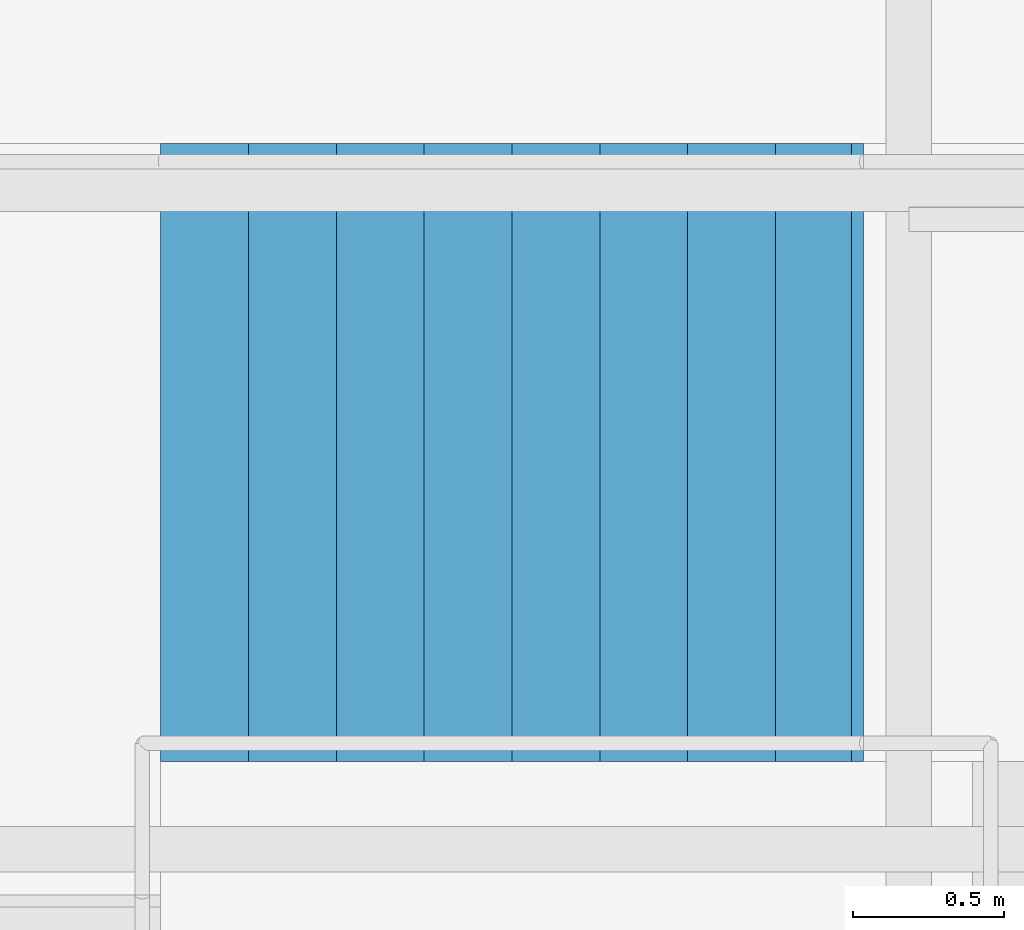
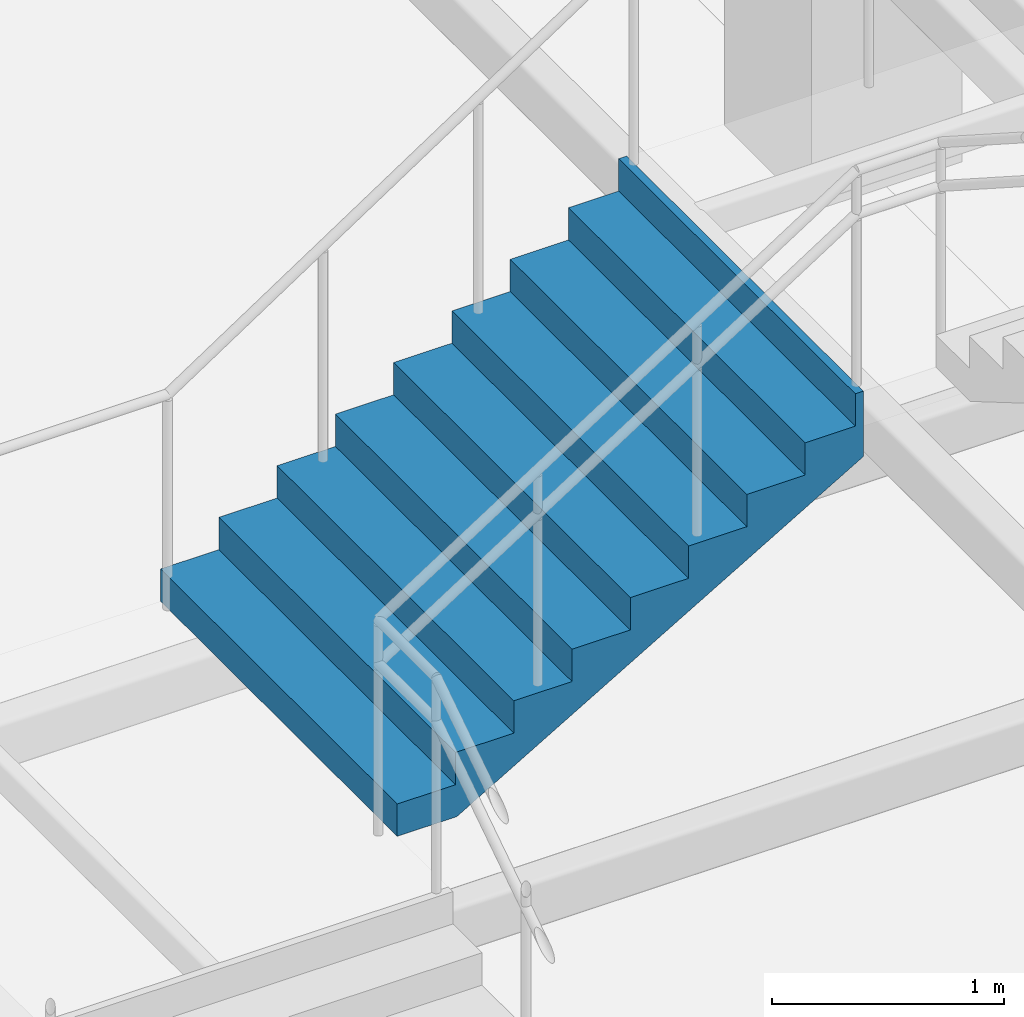
# One storey, part 48 of 58: 1 stair flight, 1 element without a shape of its own.
"""IFC4 building model written with IfcOpenShell, lengths in metres."""

from ifc_helpers import new_model, si_unit, direction, frame, origin, place, context, subcontext, project, spatial, triangles, material, type_object, element, aggregate, save


model = new_model("IFC4")

# Units and contexts
model_context = context("Model", 3, precision=1e-05, world=origin(), true_north=direction((0.0, 1.0)))
body_context = subcontext(model_context, "Body", "Model", "MODEL_VIEW")
ifc_project = project(units=[si_unit("LENGTHUNIT", "METRE"), si_unit("AREAUNIT", "SQUARE_METRE"), si_unit("VOLUMEUNIT", "CUBIC_METRE"), si_unit("PLANEANGLEUNIT", "RADIAN"), si_unit("MASSUNIT", "GRAM", prefix="KILO")], contexts=[model_context])

# Site, building, storey
site_placement = place(None, origin())
site = spatial("IfcSite", under=ifc_project, at=site_placement, CompositionType="ELEMENT")
building_placement = place(site_placement, origin())
building = spatial("IfcBuilding", under=site, at=building_placement, Name="Sillaruma Civic Art Gallery", CompositionType="ELEMENT")
storey_placement = place(building_placement, frame((0.0, 0.0, 28.56005859375)))
storey = spatial("IfcBuildingStorey", under=building, at=storey_placement, Name="L05", CompositionType="ELEMENT", Elevation=28.56005859375)

# Stair, stair flight
ifc_material = material(Name="Concrete H35 (35 MPa)", Category="concrete")
stair_type = type_object("IfcStairType", Name="STR-3F-27", PredefinedType="TWO_QUARTER_TURN_STAIR", material=ifc_material)
stair_placement = place(storey_placement, origin())
stair = element("IfcStair", 1, at=stair_placement, inside=storey, type_object=stair_type, Name="Monumental Gallery Feature Stair ST-G02 (L05)", PredefinedType="TWO_QUARTER_TURN_STAIR")
stair_flight_type = type_object("IfcStairFlightType", Name="SFL-STR-9", PredefinedType="STRAIGHT", material=ifc_material)
stair_flight_placement = place(storey_placement, frame((86.639892578125, 35.179931640625, 1.530029296875), z_axis=(0.0, 0.0, 1.0), x_axis=(1.0, 0.0, 0.0)))
stair_flight = element("IfcStairFlight", 2, at=stair_flight_placement, type_object=stair_flight_type, Name="ST-G02 flight 2", NumberOfRisers=9, NumberOfTreads=8, PredefinedType="STRAIGHT", RiserHeight=0.17, TreadLength=0.29, context=body_context, shape_type="Tessellation", body=[
    triangles([(0.0, -1.02001953125, 0.0), (0.29, -1.02001953125, 0.0), (0.296482, -1.02001953125, 0.0), (0.58, -1.02001953125, 0.1662), (0.87, -1.02001953125, 0.3362), (1.16, -1.02001953125, 0.5062), (1.45, -1.02001953125, 0.6762), (1.74, -1.02001953125, 0.8462), (2.03, -1.02001953125, 1.0162), (2.280068, -1.02001953125, 1.162792), (2.320068, -1.02001953125, 1.18624), (2.320068, -1.02001953125, 1.53), (2.280068, -1.02001953125, 1.53), (2.280068, -1.02001953125, 1.36), (2.03, -1.02001953125, 1.36), (2.03, -1.02001953125, 1.19), (1.74, -1.02001953125, 1.19), (1.74, -1.02001953125, 1.02), (1.45, -1.02001953125, 1.02), (1.45, -1.02001953125, 0.85), (1.16, -1.02001953125, 0.85), (1.16, -1.02001953125, 0.68), (0.87, -1.02001953125, 0.68), (0.87, -1.02001953125, 0.51), (0.58, -1.02001953125, 0.51), (0.58, -1.02001953125, 0.34), (0.296482, -1.02001953125, 0.34), (0.29, -1.02001953125, 0.34), (0.29, -1.02001953125, 0.17), (0.0, -1.02001953125, 0.17), (0.0, -0.05, 0.0), (0.29, -0.05, 0.0), (0.296482, -0.05, 0.0), (0.58, -0.05, 0.1662), (0.87, -0.05, 0.3362), (1.16, -0.05, 0.5062), (1.45, -0.05, 0.6762), (1.74, -0.05, 0.8462), (2.03, -0.05, 1.0162), (2.280068, -0.05, 1.162792), (2.320068, -0.05, 1.18624), (2.320068, -0.05, 1.53), (2.280068, -0.05, 1.53), (2.280068, -0.05, 1.36), (2.03, -0.05, 1.36), (2.03, -0.05, 1.19), (1.74, -0.05, 1.19), (1.74, -0.05, 1.02), (1.45, -0.05, 1.02), (1.45, -0.05, 0.85), (1.16, -0.05, 0.85), (1.16, -0.05, 0.68), (0.87, -0.05, 0.68), (0.87, -0.05, 0.51), (0.58, -0.05, 0.51), (0.58, -0.05, 0.34), (0.296482, -0.05, 0.34), (0.29, -0.05, 0.34), (0.29, -0.05, 0.17), (0.0, -0.05, 0.17), (0.0, -0.0375, 0.0), (0.29, -0.0375, 0.0), (0.296482, -0.0375, 0.0), (0.58, -0.0375, 0.1662), (0.87, -0.0375, 0.3362), (1.16, -0.0375, 0.5062), (1.45, -0.0375, 0.6762), (1.74, -0.0375, 0.8462), (2.03, -0.0375, 1.0162), (2.280068, -0.0375, 1.162792), (2.320068, -0.0375, 1.18624), (2.320068, -0.0375, 1.53), (2.280068, -0.0375, 1.53), (2.280068, -0.0375, 1.36), (2.03, -0.0375, 1.36), (2.03, -0.0375, 1.19), (1.74, -0.0375, 1.19), (1.74, -0.0375, 1.02), (1.45, -0.0375, 1.02), (1.45, -0.0375, 0.85), (1.16, -0.0375, 0.85), (1.16, -0.0375, 0.68), (0.87, -0.0375, 0.68), (0.87, -0.0375, 0.51), (0.58, -0.0375, 0.51), (0.58, -0.0375, 0.34), (0.296482, -0.0375, 0.34), (0.29, -0.0375, 0.34), (0.29, -0.0375, 0.17), (0.0, -0.0375, 0.17), (0.0, -0.025, 0.0), (0.29, -0.025, 0.0), (0.296482, -0.025, 0.0), (0.58, -0.025, 0.1662), (0.87, -0.025, 0.3362), (1.16, -0.025, 0.5062), (1.45, -0.025, 0.6762), (1.74, -0.025, 0.8462), (2.03, -0.025, 1.0162), (2.280068, -0.025, 1.162792), (2.320068, -0.025, 1.18624), (2.320068, -0.025, 1.53), (2.280068, -0.025, 1.53), (2.280068, -0.025, 1.36), (2.03, -0.025, 1.36), (2.03, -0.025, 1.19), (1.74, -0.025, 1.19), (1.74, -0.025, 1.02), (1.45, -0.025, 1.02), (1.45, -0.025, 0.85), (1.16, -0.025, 0.85), (1.16, -0.025, 0.68), (0.87, -0.025, 0.68), (0.87, -0.025, 0.51), (0.58, -0.025, 0.51), (0.58, -0.025, 0.34), (0.296482, -0.025, 0.34), (0.29, -0.025, 0.34), (0.29, -0.025, 0.17), (0.0, -0.025, 0.17), (0.0, -0.0125, 0.0), (0.29, -0.0125, 0.0), (0.296482, -0.0125, 0.0), (0.58, -0.0125, 0.1662), (0.87, -0.0125, 0.3362), (1.16, -0.0125, 0.5062), (1.45, -0.0125, 0.6762), (1.74, -0.0125, 0.8462), (2.03, -0.0125, 1.0162), (2.280068, -0.0125, 1.162792), (2.320068, -0.0125, 1.18624), (2.320068, -0.0125, 1.53), (2.280068, -0.0125, 1.53), (2.280068, -0.0125, 1.36), (2.03, -0.0125, 1.36), (2.03, -0.0125, 1.19), (1.74, -0.0125, 1.19), (1.74, -0.0125, 1.02), (1.45, -0.0125, 1.02), (1.45, -0.0125, 0.85), (1.16, -0.0125, 0.85), (1.16, -0.0125, 0.68), (0.87, -0.0125, 0.68), (0.87, -0.0125, 0.51), (0.58, -0.0125, 0.51), (0.58, -0.0125, 0.34), (0.296482, -0.0125, 0.34), (0.29, -0.0125, 0.34), (0.29, -0.0125, 0.17), (0.0, -0.0125, 0.17), (0.0, 0.0, 0.0), (0.29, 0.0, 0.0), (0.296482, 0.0, 0.0), (0.58, 0.0, 0.1662), (0.87, 0.0, 0.3362), (1.16, 0.0, 0.5062), (1.45, 0.0, 0.6762), (1.74, 0.0, 0.8462), (2.03, 0.0, 1.0162), (2.280068, 0.0, 1.162792), (2.320068, 0.0, 1.18624), (2.320068, 0.0, 1.53), (2.280068, 0.0, 1.53), (2.280068, 0.0, 1.36), (2.03, 0.0, 1.36), (2.03, 0.0, 1.19), (1.74, 0.0, 1.19), (1.74, 0.0, 1.02), (1.45, 0.0, 1.02), (1.45, 0.0, 0.85), (1.16, 0.0, 0.85), (1.16, 0.0, 0.68), (0.87, 0.0, 0.68), (0.87, 0.0, 0.51), (0.58, 0.0, 0.51), (0.58, 0.0, 0.34), (0.296482, 0.0, 0.34), (0.29, 0.0, 0.34), (0.29, 0.0, 0.17), (0.0, 0.0, 0.17), (0.0, 0.0125, 0.0), (0.29, 0.0125, 0.0), (0.296482, 0.0125, 0.0), (0.58, 0.0125, 0.1662), (0.87, 0.0125, 0.3362), (1.16, 0.0125, 0.5062), (1.45, 0.0125, 0.6762), (1.74, 0.0125, 0.8462), (2.03, 0.0125, 1.0162), (2.280068, 0.0125, 1.162792), (2.320068, 0.0125, 1.18624), (2.320068, 0.0125, 1.53), (2.280068, 0.0125, 1.53), (2.280068, 0.0125, 1.36), (2.03, 0.0125, 1.36), (2.03, 0.0125, 1.19), (1.74, 0.0125, 1.19), (1.74, 0.0125, 1.02), (1.45, 0.0125, 1.02), (1.45, 0.0125, 0.85), (1.16, 0.0125, 0.85), (1.16, 0.0125, 0.68), (0.87, 0.0125, 0.68), (0.87, 0.0125, 0.51), (0.58, 0.0125, 0.51), (0.58, 0.0125, 0.34), (0.296482, 0.0125, 0.34), (0.29, 0.0125, 0.34), (0.29, 0.0125, 0.17), (0.0, 0.0125, 0.17), (0.0, 0.025, 0.0), (0.29, 0.025, 0.0), (0.296482, 0.025, 0.0), (0.58, 0.025, 0.1662), (0.87, 0.025, 0.3362), (1.16, 0.025, 0.5062), (1.45, 0.025, 0.6762), (1.74, 0.025, 0.8462), (2.03, 0.025, 1.0162), (2.280068, 0.025, 1.162792), (2.320068, 0.025, 1.18624), (2.320068, 0.025, 1.53), (2.280068, 0.025, 1.53), (2.280068, 0.025, 1.36), (2.03, 0.025, 1.36), (2.03, 0.025, 1.19), (1.74, 0.025, 1.19), (1.74, 0.025, 1.02), (1.45, 0.025, 1.02), (1.45, 0.025, 0.85), (1.16, 0.025, 0.85), (1.16, 0.025, 0.68), (0.87, 0.025, 0.68), (0.87, 0.025, 0.51), (0.58, 0.025, 0.51), (0.58, 0.025, 0.34), (0.296482, 0.025, 0.34), (0.29, 0.025, 0.34), (0.29, 0.025, 0.17), (0.0, 0.025, 0.17), (0.0, 0.0375, 0.0), (0.29, 0.0375, 0.0), (0.296482, 0.0375, 0.0), (0.58, 0.0375, 0.1662), (0.87, 0.0375, 0.3362), (1.16, 0.0375, 0.5062), (1.45, 0.0375, 0.6762), (1.74, 0.0375, 0.8462), (2.03, 0.0375, 1.0162), (2.280068, 0.0375, 1.162792), (2.320068, 0.0375, 1.18624), (2.320068, 0.0375, 1.53), (2.280068, 0.0375, 1.53), (2.280068, 0.0375, 1.36), (2.03, 0.0375, 1.36), (2.03, 0.0375, 1.19), (1.74, 0.0375, 1.19), (1.74, 0.0375, 1.02), (1.45, 0.0375, 1.02), (1.45, 0.0375, 0.85), (1.16, 0.0375, 0.85), (1.16, 0.0375, 0.68), (0.87, 0.0375, 0.68), (0.87, 0.0375, 0.51), (0.58, 0.0375, 0.51), (0.58, 0.0375, 0.34), (0.296482, 0.0375, 0.34), (0.29, 0.0375, 0.34), (0.29, 0.0375, 0.17), (0.0, 0.0375, 0.17), (0.0, 0.05, 0.0), (0.29, 0.05, 0.0), (0.296482, 0.05, 0.0), (0.58, 0.05, 0.1662), (0.87, 0.05, 0.3362), (1.16, 0.05, 0.5062), (1.45, 0.05, 0.6762), (1.74, 0.05, 0.8462), (2.03, 0.05, 1.0162), (2.280068, 0.05, 1.162792), (2.320068, 0.05, 1.18624), (2.320068, 0.05, 1.53), (2.280068, 0.05, 1.53), (2.280068, 0.05, 1.36), (2.03, 0.05, 1.36), (2.03, 0.05, 1.19), (1.74, 0.05, 1.19), (1.74, 0.05, 1.02), (1.45, 0.05, 1.02), (1.45, 0.05, 0.85), (1.16, 0.05, 0.85), (1.16, 0.05, 0.68), (0.87, 0.05, 0.68), (0.87, 0.05, 0.51), (0.58, 0.05, 0.51), (0.58, 0.05, 0.34), (0.296482, 0.05, 0.34), (0.29, 0.05, 0.34), (0.29, 0.05, 0.17), (0.0, 0.05, 0.17), (0.0, 1.02001953125, 0.0), (0.29, 1.02001953125, 0.0), (0.296482, 1.02001953125, 0.0), (0.58, 1.02001953125, 0.1662), (0.87, 1.02001953125, 0.3362), (1.16, 1.02001953125, 0.5062), (1.45, 1.02001953125, 0.6762), (1.74, 1.02001953125, 0.8462), (2.03, 1.02001953125, 1.0162), (2.280068, 1.02001953125, 1.162792), (2.320068, 1.02001953125, 1.18624), (2.320068, 1.02001953125, 1.53), (2.280068, 1.02001953125, 1.53), (2.280068, 1.02001953125, 1.36), (2.03, 1.02001953125, 1.36), (2.03, 1.02001953125, 1.19), (1.74, 1.02001953125, 1.19), (1.74, 1.02001953125, 1.02), (1.45, 1.02001953125, 1.02), (1.45, 1.02001953125, 0.85), (1.16, 1.02001953125, 0.85), (1.16, 1.02001953125, 0.68), (0.87, 1.02001953125, 0.68), (0.87, 1.02001953125, 0.51), (0.58, 1.02001953125, 0.51), (0.58, 1.02001953125, 0.34), (0.296482, 1.02001953125, 0.34), (0.29, 1.02001953125, 0.34), (0.29, 1.02001953125, 0.17), (0.0, 1.02001953125, 0.17)], [[1, 2, 29], [1, 29, 30], [2, 3, 27], [2, 27, 29], [29, 27, 28], [3, 4, 26], [3, 26, 27], [4, 5, 24], [4, 24, 26], [26, 24, 25], [5, 6, 22], [5, 22, 24], [24, 22, 23], [6, 7, 20], [6, 20, 22], [22, 20, 21], [7, 8, 18], [7, 18, 20], [20, 18, 19], [8, 9, 16], [8, 16, 18], [18, 16, 17], [9, 10, 14], [9, 14, 16], [16, 14, 15], [10, 11, 12], [10, 12, 14], [14, 12, 13], [329, 302, 301], [330, 329, 301], [327, 303, 302], [329, 327, 302], [328, 327, 329], [326, 304, 303], [327, 326, 303], [324, 305, 304], [326, 324, 304], [325, 324, 326], [322, 306, 305], [324, 322, 305], [323, 322, 324], [320, 307, 306], [322, 320, 306], [321, 320, 322], [318, 308, 307], [320, 318, 307], [319, 318, 320], [316, 309, 308], [318, 316, 308], [317, 316, 318], [314, 310, 309], [316, 314, 309], [315, 314, 316], [312, 311, 310], [314, 312, 310], [313, 312, 314], [2, 1, 31], [2, 31, 32], [3, 2, 32], [3, 32, 33], [4, 3, 33], [4, 33, 34], [5, 4, 34], [5, 34, 35], [6, 5, 35], [6, 35, 36], [7, 6, 36], [7, 36, 37], [8, 7, 37], [8, 37, 38], [9, 8, 38], [9, 38, 39], [10, 9, 39], [10, 39, 40], [11, 10, 40], [11, 40, 41], [12, 11, 41], [12, 41, 42], [13, 12, 42], [13, 42, 43], [14, 13, 43], [14, 43, 44], [15, 14, 44], [15, 44, 45], [16, 15, 45], [16, 45, 46], [17, 16, 46], [17, 46, 47], [18, 17, 47], [18, 47, 48], [19, 18, 48], [19, 48, 49], [20, 19, 49], [20, 49, 50], [21, 20, 50], [21, 50, 51], [22, 21, 51], [22, 51, 52], [23, 22, 52], [23, 52, 53], [24, 23, 53], [24, 53, 54], [25, 24, 54], [25, 54, 55], [26, 25, 55], [26, 55, 56], [27, 26, 56], [27, 56, 57], [28, 27, 57], [28, 57, 58], [29, 28, 58], [29, 58, 59], [30, 29, 59], [30, 59, 60], [1, 30, 60], [1, 60, 31], [32, 31, 61], [32, 61, 62], [33, 32, 62], [33, 62, 63], [34, 33, 63], [34, 63, 64], [35, 34, 64], [35, 64, 65], [36, 35, 65], [36, 65, 66], [37, 36, 66], [37, 66, 67], [38, 37, 67], [38, 67, 68], [39, 38, 68], [39, 68, 69], [40, 39, 69], [40, 69, 70], [41, 40, 70], [41, 70, 71], [42, 41, 71], [42, 71, 72], [43, 42, 72], [43, 72, 73], [44, 43, 73], [44, 73, 74], [45, 44, 74], [45, 74, 75], [46, 45, 75], [46, 75, 76], [47, 46, 76], [47, 76, 77], [48, 47, 77], [48, 77, 78], [49, 48, 78], [49, 78, 79], [50, 49, 79], [50, 79, 80], [51, 50, 80], [51, 80, 81], [52, 51, 81], [52, 81, 82], [53, 52, 82], [53, 82, 83], [54, 53, 83], [54, 83, 84], [55, 54, 84], [55, 84, 85], [56, 55, 85], [56, 85, 86], [57, 56, 86], [57, 86, 87], [58, 57, 87], [58, 87, 88], [59, 58, 88], [59, 88, 89], [60, 59, 89], [60, 89, 90], [31, 60, 90], [31, 90, 61], [62, 61, 91], [62, 91, 92], [63, 62, 92], [63, 92, 93], [64, 63, 93], [64, 93, 94], [65, 64, 94], [65, 94, 95], [66, 65, 95], [66, 95, 96], [67, 66, 96], [67, 96, 97], [68, 67, 97], [68, 97, 98], [69, 68, 98], [69, 98, 99], [70, 69, 99], [70, 99, 100], [71, 70, 100], [71, 100, 101], [72, 71, 101], [72, 101, 102], [73, 72, 102], [73, 102, 103], [74, 73, 103], [74, 103, 104], [75, 74, 104], [75, 104, 105], [76, 75, 105], [76, 105, 106], [77, 76, 106], [77, 106, 107], [78, 77, 107], [78, 107, 108], [79, 78, 108], [79, 108, 109], [80, 79, 109], [80, 109, 110], [81, 80, 110], [81, 110, 111], [82, 81, 111], [82, 111, 112], [83, 82, 112], [83, 112, 113], [84, 83, 113], [84, 113, 114], [85, 84, 114], [85, 114, 115], [86, 85, 115], [86, 115, 116], [87, 86, 116], [87, 116, 117], [88, 87, 117], [88, 117, 118], [89, 88, 118], [89, 118, 119], [90, 89, 119], [90, 119, 120], [61, 90, 120], [61, 120, 91], [92, 91, 121], [92, 121, 122], [93, 92, 122], [93, 122, 123], [94, 93, 123], [94, 123, 124], [95, 94, 124], [95, 124, 125], [96, 95, 125], [96, 125, 126], [97, 96, 126], [97, 126, 127], [98, 97, 127], [98, 127, 128], [99, 98, 128], [99, 128, 129], [100, 99, 129], [100, 129, 130], [101, 100, 130], [101, 130, 131], [102, 101, 131], [102, 131, 132], [103, 102, 132], [103, 132, 133], [104, 103, 133], [104, 133, 134], [105, 104, 134], [105, 134, 135], [106, 105, 135], [106, 135, 136], [107, 106, 136], [107, 136, 137], [108, 107, 137], [108, 137, 138], [109, 108, 138], [109, 138, 139], [110, 109, 139], [110, 139, 140], [111, 110, 140], [111, 140, 141], [112, 111, 141], [112, 141, 142], [113, 112, 142], [113, 142, 143], [114, 113, 143], [114, 143, 144], [115, 114, 144], [115, 144, 145], [116, 115, 145], [116, 145, 146], [117, 116, 146], [117, 146, 147], [118, 117, 147], [118, 147, 148], [119, 118, 148], [119, 148, 149], [120, 119, 149], [120, 149, 150], [91, 120, 150], [91, 150, 121], [122, 121, 151], [122, 151, 152], [123, 122, 152], [123, 152, 153], [124, 123, 153], [124, 153, 154], [125, 124, 154], [125, 154, 155], [126, 125, 155], [126, 155, 156], [127, 126, 156], [127, 156, 157], [128, 127, 157], [128, 157, 158], [129, 128, 158], [129, 158, 159], [130, 129, 159], [130, 159, 160], [131, 130, 160], [131, 160, 161], [132, 131, 161], [132, 161, 162], [133, 132, 162], [133, 162, 163], [134, 133, 163], [134, 163, 164], [135, 134, 164], [135, 164, 165], [136, 135, 165], [136, 165, 166], [137, 136, 166], [137, 166, 167], [138, 137, 167], [138, 167, 168], [139, 138, 168], [139, 168, 169], [140, 139, 169], [140, 169, 170], [141, 140, 170], [141, 170, 171], [142, 141, 171], [142, 171, 172], [143, 142, 172], [143, 172, 173], [144, 143, 173], [144, 173, 174], [145, 144, 174], [145, 174, 175], [146, 145, 175], [146, 175, 176], [147, 146, 176], [147, 176, 177], [148, 147, 177], [148, 177, 178], [149, 148, 178], [149, 178, 179], [150, 149, 179], [150, 179, 180], [121, 150, 180], [121, 180, 151], [152, 151, 181], [152, 181, 182], [153, 152, 182], [153, 182, 183], [154, 153, 183], [154, 183, 184], [155, 154, 184], [155, 184, 185], [156, 155, 185], [156, 185, 186], [157, 156, 186], [157, 186, 187], [158, 157, 187], [158, 187, 188], [159, 158, 188], [159, 188, 189], [160, 159, 189], [160, 189, 190], [161, 160, 190], [161, 190, 191], [162, 161, 191], [162, 191, 192], [163, 162, 192], [163, 192, 193], [164, 163, 193], [164, 193, 194], [165, 164, 194], [165, 194, 195], [166, 165, 195], [166, 195, 196], [167, 166, 196], [167, 196, 197], [168, 167, 197], [168, 197, 198], [169, 168, 198], [169, 198, 199], [170, 169, 199], [170, 199, 200], [171, 170, 200], [171, 200, 201], [172, 171, 201], [172, 201, 202], [173, 172, 202], [173, 202, 203], [174, 173, 203], [174, 203, 204], [175, 174, 204], [175, 204, 205], [176, 175, 205], [176, 205, 206], [177, 176, 206], [177, 206, 207], [178, 177, 207], [178, 207, 208], [179, 178, 208], [179, 208, 209], [180, 179, 209], [180, 209, 210], [151, 180, 210], [151, 210, 181], [182, 181, 211], [182, 211, 212], [183, 182, 212], [183, 212, 213], [184, 183, 213], [184, 213, 214], [185, 184, 214], [185, 214, 215], [186, 185, 215], [186, 215, 216], [187, 186, 216], [187, 216, 217], [188, 187, 217], [188, 217, 218], [189, 188, 218], [189, 218, 219], [190, 189, 219], [190, 219, 220], [191, 190, 220], [191, 220, 221], [192, 191, 221], [192, 221, 222], [193, 192, 222], [193, 222, 223], [194, 193, 223], [194, 223, 224], [195, 194, 224], [195, 224, 225], [196, 195, 225], [196, 225, 226], [197, 196, 226], [197, 226, 227], [198, 197, 227], [198, 227, 228], [199, 198, 228], [199, 228, 229], [200, 199, 229], [200, 229, 230], [201, 200, 230], [201, 230, 231], [202, 201, 231], [202, 231, 232], [203, 202, 232], [203, 232, 233], [204, 203, 233], [204, 233, 234], [205, 204, 234], [205, 234, 235], [206, 205, 235], [206, 235, 236], [207, 206, 236], [207, 236, 237], [208, 207, 237], [208, 237, 238], [209, 208, 238], [209, 238, 239], [210, 209, 239], [210, 239, 240], [181, 210, 240], [181, 240, 211], [212, 211, 241], [212, 241, 242], [213, 212, 242], [213, 242, 243], [214, 213, 243], [214, 243, 244], [215, 214, 244], [215, 244, 245], [216, 215, 245], [216, 245, 246], [217, 216, 246], [217, 246, 247], [218, 217, 247], [218, 247, 248], [219, 218, 248], [219, 248, 249], [220, 219, 249], [220, 249, 250], [221, 220, 250], [221, 250, 251], [222, 221, 251], [222, 251, 252], [223, 222, 252], [223, 252, 253], [224, 223, 253], [224, 253, 254], [225, 224, 254], [225, 254, 255], [226, 225, 255], [226, 255, 256], [227, 226, 256], [227, 256, 257], [228, 227, 257], [228, 257, 258], [229, 228, 258], [229, 258, 259], [230, 229, 259], [230, 259, 260], [231, 230, 260], [231, 260, 261], [232, 231, 261], [232, 261, 262], [233, 232, 262], [233, 262, 263], [234, 233, 263], [234, 263, 264], [235, 234, 264], [235, 264, 265], [236, 235, 265], [236, 265, 266], [237, 236, 266], [237, 266, 267], [238, 237, 267], [238, 267, 268], [239, 238, 268], [239, 268, 269], [240, 239, 269], [240, 269, 270], [211, 240, 270], [211, 270, 241], [242, 241, 271], [242, 271, 272], [243, 242, 272], [243, 272, 273], [244, 243, 273], [244, 273, 274], [245, 244, 274], [245, 274, 275], [246, 245, 275], [246, 275, 276], [247, 246, 276], [247, 276, 277], [248, 247, 277], [248, 277, 278], [249, 248, 278], [249, 278, 279], [250, 249, 279], [250, 279, 280], [251, 250, 280], [251, 280, 281], [252, 251, 281], [252, 281, 282], [253, 252, 282], [253, 282, 283], [254, 253, 283], [254, 283, 284], [255, 254, 284], [255, 284, 285], [256, 255, 285], [256, 285, 286], [257, 256, 286], [257, 286, 287], [258, 257, 287], [258, 287, 288], [259, 258, 288], [259, 288, 289], [260, 259, 289], [260, 289, 290], [261, 260, 290], [261, 290, 291], [262, 261, 291], [262, 291, 292], [263, 262, 292], [263, 292, 293], [264, 263, 293], [264, 293, 294], [265, 264, 294], [265, 294, 295], [266, 265, 295], [266, 295, 296], [267, 266, 296], [267, 296, 297], [268, 267, 297], [268, 297, 298], [269, 268, 298], [269, 298, 299], [270, 269, 299], [270, 299, 300], [241, 270, 300], [241, 300, 271], [272, 271, 301], [272, 301, 302], [273, 272, 302], [273, 302, 303], [274, 273, 303], [274, 303, 304], [275, 274, 304], [275, 304, 305], [276, 275, 305], [276, 305, 306], [277, 276, 306], [277, 306, 307], [278, 277, 307], [278, 307, 308], [279, 278, 308], [279, 308, 309], [280, 279, 309], [280, 309, 310], [281, 280, 310], [281, 310, 311], [282, 281, 311], [282, 311, 312], [283, 282, 312], [283, 312, 313], [284, 283, 313], [284, 313, 314], [285, 284, 314], [285, 314, 315], [286, 285, 315], [286, 315, 316], [287, 286, 316], [287, 316, 317], [288, 287, 317], [288, 317, 318], [289, 288, 318], [289, 318, 319], [290, 289, 319], [290, 319, 320], [291, 290, 320], [291, 320, 321], [292, 291, 321], [292, 321, 322], [293, 292, 322], [293, 322, 323], [294, 293, 323], [294, 323, 324], [295, 294, 324], [295, 324, 325], [296, 295, 325], [296, 325, 326], [297, 296, 326], [297, 326, 327], [298, 297, 327], [298, 327, 328], [299, 298, 328], [299, 328, 329], [300, 299, 329], [300, 329, 330], [271, 300, 330], [271, 330, 301]], closed=True),
])
aggregate(stair, [stair_flight])

save(model, "model.ifc")
